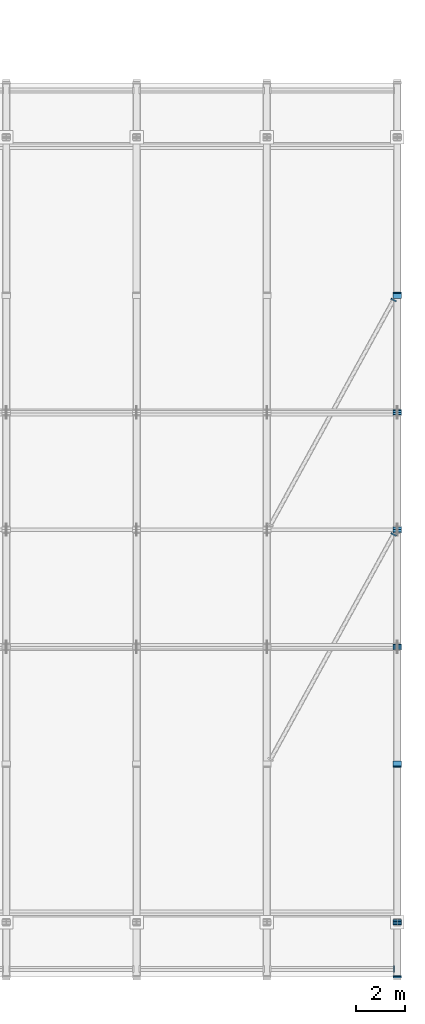
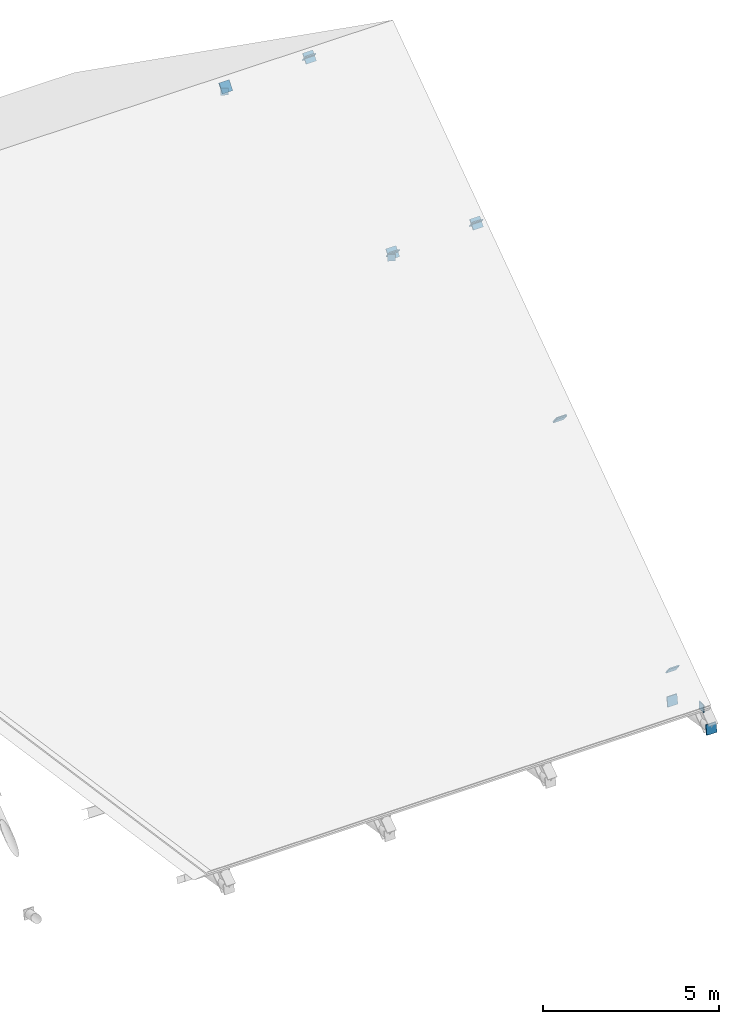
# One storey, part 55 of 57: 16 discrete accessories.
"""IFC4 building model written with IfcOpenShell, lengths in metres."""

from ifc_helpers import new_model, si_unit, direction, frame, origin, origin_2d, place, context, subcontext, project, spatial, rectangle, extrude, material, material_profile, profile_set, type_object, element, save


model = new_model("IFC4")

# Units and contexts
model_context = context("Model", 3, precision=1e-05, world=origin(), true_north=direction((0.0, 1.0)))
body_context = subcontext(model_context, "Body", "Model", "MODEL_VIEW")
ifc_project = project(units=[si_unit("LENGTHUNIT", "METRE"), si_unit("AREAUNIT", "SQUARE_METRE"), si_unit("VOLUMEUNIT", "CUBIC_METRE"), si_unit("PLANEANGLEUNIT", "RADIAN"), si_unit("MASSUNIT", "GRAM", prefix="KILO")], contexts=[model_context])

# Site, building, storey
site_placement = place(None, origin())
site = spatial("IfcSite", under=ifc_project, at=site_placement, CompositionType="ELEMENT")
building_placement = place(site_placement, origin())
building = spatial("IfcBuilding", under=site, at=building_placement, Name="Kelarvand Opera House", CompositionType="ELEMENT")
storey_placement = place(building_placement, frame((0.0, 0.0, 33.60009765625)))
storey = spatial("IfcBuildingStorey", under=building, at=storey_placement, Name="Roof", CompositionType="ELEMENT", Elevation=33.60009765625)

# Discrete accessories
ifc_material = material(Name="Steel S355", Category="steel")
ifc_material_profile_1 = material_profile(ifc_material, rectangle(XDim=0.22802734375, YDim=0.22802734375, at=origin_2d()), Name="Welded Steel Hollow End-Cap Plate 228x228x24", Category="steel")
ifc_profile_set_1 = profile_set([ifc_material_profile_1], Name="Steel S355")
discrete_accessory_type_1 = type_object("IfcDiscreteAccessoryType", Name="Welded Steel Hollow End-Cap Plate 228x228x24", PredefinedType="SHOE", material=ifc_profile_set_1)
for number, where, z_axis, x_axis, name in (
    (1, (141.646240234375, 62.29296875, -4.800048828125), (0.474099823035, 0.880471099922, 0.0), (-0.880471099922, 0.474099823035, 0.0), "Hollow Section Welded End Cap 434"),
    (2, (141.646240234375, 71.79296875, -4.800048828125), (0.474099823035, 0.880471099922, 0.0), (-0.880471099922, 0.474099823035, 0.0), "Hollow Section Welded End Cap 436"),
):
    element("IfcDiscreteAccessory", number, at=place(storey_placement, frame(where, z_axis=z_axis, x_axis=x_axis)), inside=storey, type_object=discrete_accessory_type_1, Name=name, PredefinedType="SHOE", context=body_context, shape_type="SweptSolid", body=[
        extrude(rectangle(XDim=0.22802734375, YDim=0.22802734375, at=origin_2d()), origin(), (0.0, 0.0, 1.0), 0.0361328125),
    ])
ifc_material_profile_2 = material_profile(ifc_material, rectangle(XDim=0.260009765625, YDim=0.260009765625, at=origin_2d()), Name="Welded Steel Hollow End-Cap Plate 260x260x24", Category="steel")
ifc_profile_set_2 = profile_set([ifc_material_profile_2], Name="Steel S355")
discrete_accessory_type_2 = type_object("IfcDiscreteAccessoryType", Name="Welded Steel Hollow End-Cap Plate 260x260x24", PredefinedType="SHOE", material=ifc_profile_set_2)
discrete_accessory_placement = place(storey_placement, frame((141.652099609375, 44.699951171875, -9.721923828125), z_axis=(1.0, 0.0, 0.0), x_axis=(0.0, 1.0, 0.0)))
element("IfcDiscreteAccessory", 3, at=discrete_accessory_placement, inside=storey, type_object=discrete_accessory_type_2, Name="Hollow Section Welded End Cap 430", PredefinedType="SHOE", context=body_context, shape_type="SweptSolid", body=[
    extrude(rectangle(XDim=0.260009765625, YDim=0.260009765625, at=origin_2d()), origin(), (0.0, 0.0, 1.0), 0.035888671875),
])
ifc_material_profile_3 = material_profile(ifc_material, rectangle(XDim=0.3330078125, YDim=0.3330078125, at=origin_2d()), Name="Welded Steel Hollow End-Cap Plate 333x333x24", Category="steel")
ifc_profile_set_3 = profile_set([ifc_material_profile_3], Name="Steel S355")
discrete_accessory_type_3 = type_object("IfcDiscreteAccessoryType", Name="Welded Steel Hollow End-Cap Plate 333x333x24", PredefinedType="SHOE", material=ifc_profile_set_3)
for number, where, z_axis, x_axis, name in (
    (4, (141.800048828125, 46.592041015625, -10.69873046875), (0.0, 0.986756818481, -0.162206600298), (-1.0, 0.0, 0.0), "Hollow Section Welded End Cap 373"),
    (5, (141.800048828125, 44.407958984375, -10.33349609375), (0.0, -0.986756818481, 0.162206600298), (1.0, 0.0, 0.0), "Hollow Section Welded End Cap 374"),
    (6, (141.800048828125, 46.6064453125, -9.59521484375), (0.0, -0.798373260242, -0.602162882725), (1.0, 0.0, 0.0), "Hollow Section Welded End Cap 377"),
    (7, (141.800048828125, 52.99365234375, -4.804931640625), (0.0, 0.798373260242, 0.602162882725), (-1.0, 0.0, 0.0), "Hollow Section Welded End Cap 378"),
    (8, (141.800048828125, 72.00634765625, -4.804931640625), (0.0, -0.798373260242, 0.602162882725), (1.0, 0.0, 0.0), "Hollow Section Welded End Cap 380"),
):
    element("IfcDiscreteAccessory", number, at=place(storey_placement, frame(where, z_axis=z_axis, x_axis=x_axis)), inside=storey, type_object=discrete_accessory_type_3, Name=name, PredefinedType="SHOE", context=body_context, shape_type="SweptSolid", body=[
        extrude(rectangle(XDim=0.3330078125, YDim=0.3330078125, at=origin_2d()), origin(), (0.0, 0.0, 1.0), 0.0361328125),
    ])
for number, where, z_axis, x_axis, name in (
    (9, (141.800048828125, 53.006103515625, -4.794921875), (0.0, -0.768778639846, -0.639514974739), (1.0, 0.0, 0.0), "Hollow Section Welded End Cap 381"),
    (10, (141.800048828125, 57.743896484375, -0.896484375), (0.0, 0.768778639846, 0.639514974739), (-1.0, 0.0, 0.0), "Hollow Section Welded End Cap 382"),
    (11, (141.800048828125, 57.756103515625, -0.896484375), (0.0, -0.768778639846, 0.639514974739), (1.0, 0.0, 0.0), "Hollow Section Welded End Cap 383"),
    (12, (141.800048828125, 62.493896484375, -4.794921875), (0.0, 0.768778639846, -0.639514974739), (-1.0, 0.0, 0.0), "Hollow Section Welded End Cap 384"),
    (13, (141.800048828125, 62.506103515625, -4.794921875), (0.0, -0.768778639846, -0.639514974739), (1.0, 0.0, 0.0), "Hollow Section Welded End Cap 385"),
    (14, (141.800048828125, 67.243896484375, -0.896484375), (0.0, 0.768778639846, 0.639514974739), (-1.0, 0.0, 0.0), "Hollow Section Welded End Cap 386"),
    (15, (141.800048828125, 67.256103515625, -0.896484375), (0.0, -0.768778639846, 0.639514974739), (1.0, 0.0, 0.0), "Hollow Section Welded End Cap 387"),
    (16, (141.800048828125, 71.993896484375, -4.794921875), (0.0, 0.768778639846, -0.639514974739), (-1.0, 0.0, 0.0), "Hollow Section Welded End Cap 388"),
):
    element("IfcDiscreteAccessory", number, at=place(storey_placement, frame(where, z_axis=z_axis, x_axis=x_axis)), inside=storey, type_object=discrete_accessory_type_3, Name=name, PredefinedType="SHOE", context=body_context, shape_type="SweptSolid", body=[
        extrude(rectangle(XDim=0.3330078125, YDim=0.3330078125, at=origin_2d()), origin(), (0.0, 0.0, 1.0), 0.035888671875),
    ])

save(model, "model.ifc")
